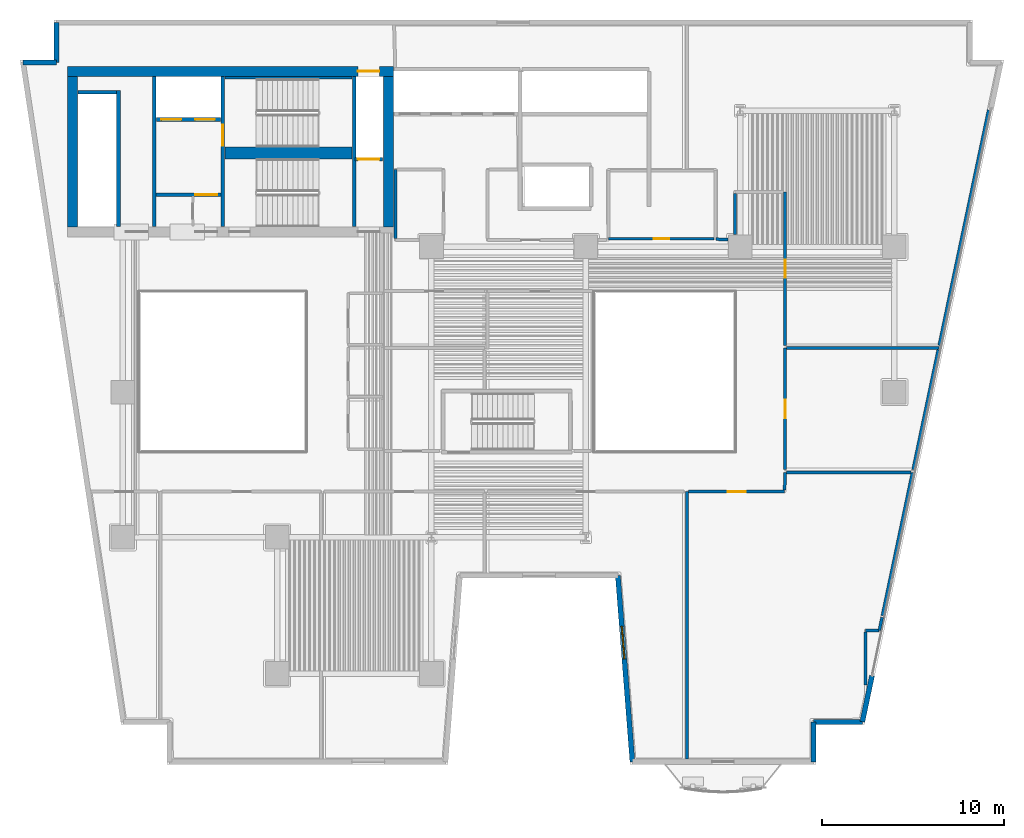
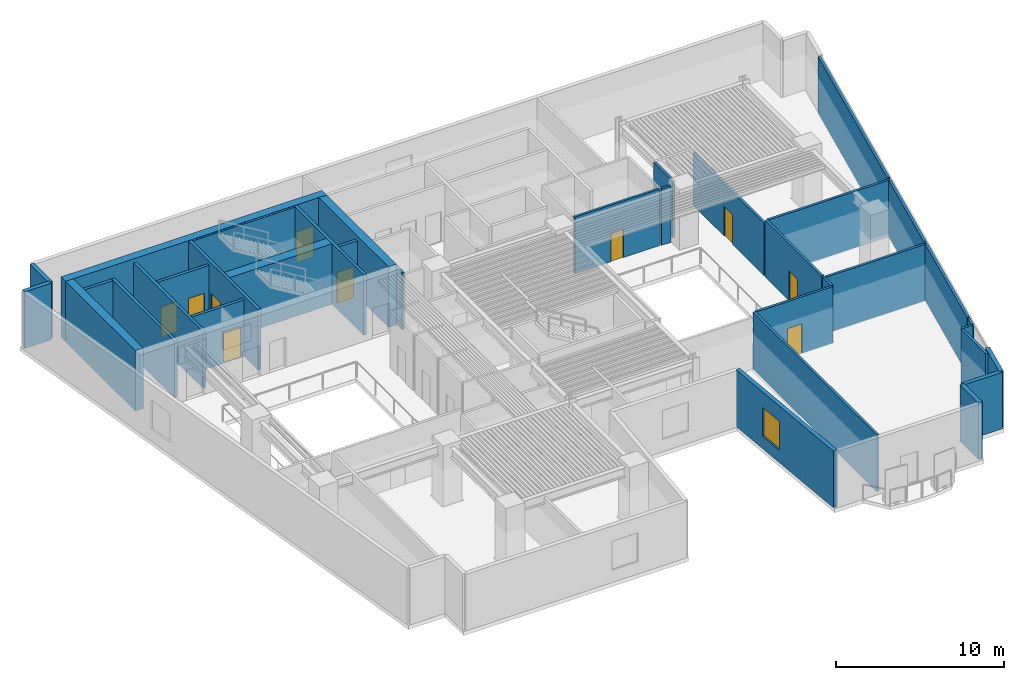
# One storey, part 5 of 12: 36 walls, 10 doors, 1 window, 11 openings.
"""IFC4 building model written with IfcOpenShell, lengths in metres."""

from ifc_helpers import new_model, si_unit, direction, frame, frame_2d, origin, place, context, subcontext, project, spatial, rectangle, extrude, material, layer, layer_set, type_object, element, fill, save


model = new_model("IFC4")

# Units and contexts
model_context = context("Model", 3, precision=1e-05, world=origin(), true_north=direction((0.0, 1.0)))
body_context = subcontext(model_context, "Body", "Model", "MODEL_VIEW")
ifc_project = project(units=[si_unit("LENGTHUNIT", "METRE"), si_unit("AREAUNIT", "SQUARE_METRE"), si_unit("VOLUMEUNIT", "CUBIC_METRE"), si_unit("PLANEANGLEUNIT", "RADIAN"), si_unit("MASSUNIT", "GRAM", prefix="KILO")], contexts=[model_context])

# Site, building, storey
site_placement = place(None, origin())
site = spatial("IfcSite", under=ifc_project, at=site_placement, CompositionType="ELEMENT")
building_placement = place(site_placement, origin())
building = spatial("IfcBuilding", under=site, at=building_placement, Name="Caeloran Harvest Quay", CompositionType="ELEMENT")
storey_placement = place(building_placement, frame((0.0, 0.0, 79.800048828125)))
storey = spatial("IfcBuildingStorey", under=building, at=storey_placement, Name="L18", CompositionType="ELEMENT", Elevation=79.800048828125)

# Walls
ifc_material_1 = material(Name="Precast concrete C50/60", Category="concrete")
ifc_layer_1 = layer(ifc_material_1, 0.280029296875, Name="Precast concrete C50/60")
ifc_layer_set_1 = layer_set([ifc_layer_1], Name="Precast concrete C50/60")
wall_type_1 = type_object("IfcWallType", Name="ENV-WALL-EW-280", PredefinedType="STANDARD", material=ifc_layer_set_1)
wall_1_placement = place(storey_placement, frame((2.99755859375, 41.159912109375, 0.0), z_axis=(0.0, 0.0, 1.0), x_axis=(1.0, 0.0, 0.0)))
element("IfcWall", 1, at=wall_1_placement, inside=storey, type_object=wall_type_1, Name="L18 Exterior Precast Concrete Facade Wall 4", PredefinedType="STANDARD", context=body_context, shape_type="SweptSolid", body=[
    extrude(rectangle(XDim=1.842529296875, YDim=0.280029296875, at=frame_2d((0.92138671875, 0.0))), origin(), (0.0, 0.0, 1.0), 4.114990234375),
])
wall_2_placement = place(storey_placement, frame((4.840087890625, 41.159912109375, 0.0), z_axis=(0.0, 0.0, 1.0), x_axis=(0.0, 1.0, 0.0)))
element("IfcWall", 2, at=wall_2_placement, inside=storey, type_object=wall_type_1, Name="L18 Exterior Precast Concrete Facade Wall 5", PredefinedType="STANDARD", context=body_context, shape_type="SweptSolid", body=[
    extrude(rectangle(XDim=2.2001953125, YDim=0.280029296875, at=frame_2d((1.10009765625, 0.0))), origin(), (0.0, 0.0, 1.0), 4.114990234375),
])
wall_3_placement = place(storey_placement, frame((49.77001953125, 7.384521484375, 0.0), z_axis=(0.0, 0.0, 1.0), x_axis=(-0.205551409765, -0.978646319128, 0.0)))
element("IfcWall", 3, at=wall_3_placement, inside=storey, type_object=wall_type_1, Name="L18 Exterior Facade Corner Pier Wall 9B", PredefinedType="STANDARD", context=body_context, shape_type="SweptSolid", body=[
    extrude(rectangle(XDim=2.599853515625, YDim=0.280029296875, at=frame_2d((1.2998046875, 0.0))), origin(), (0.0, 0.0, 1.0), 4.114990234375),
])
wall_4_placement = place(storey_placement, frame((49.235595703125, 4.840087890625, 0.0), z_axis=(0.0, 0.0, 1.0), x_axis=(-1.0, 0.0, 0.0)))
element("IfcWall", 4, at=wall_4_placement, inside=storey, type_object=wall_type_1, Name="L18 Exterior Precast Concrete Facade Wall 10", PredefinedType="STANDARD", context=body_context, shape_type="SweptSolid", body=[
    extrude(rectangle(XDim=2.6884765625, YDim=0.280029296875, at=frame_2d((1.34423828125, 0.0))), origin(), (0.0, 0.0, 1.0), 4.114990234375),
])
wall_5_placement = place(storey_placement, frame((46.547119140625, 4.840087890625, 0.0), z_axis=(0.0, 0.0, 1.0), x_axis=(0.0, -1.0, 0.0)))
element("IfcWall", 5, at=wall_5_placement, inside=storey, type_object=wall_type_1, Name="L18 Exterior Precast Concrete Facade Wall 11", PredefinedType="STANDARD", context=body_context, shape_type="SweptSolid", body=[
    extrude(rectangle(XDim=2.2001953125, YDim=0.280029296875, at=frame_2d((1.10009765625, 0.0))), origin(), (0.0, 0.0, 1.0), 4.114990234375),
])

# Wall, opening, window
wall_6_placement = place(storey_placement, frame((36.570068359375, 2.639892578125, 0.0), z_axis=(0.0, 0.0, 1.0), x_axis=(-0.077816860153, 0.996967670627, 0.0)))
wall_6 = element("IfcWall", 6, at=wall_6_placement, inside=storey, type_object=wall_type_1, Name="L18 Exterior Precast Concrete Facade Wall 13", PredefinedType="STANDARD", context=body_context, shape_type="SweptSolid", body=[
    extrude(rectangle(XDim=10.28125, YDim=0.280029296875, at=frame_2d((5.140625, 0.0))), origin(), (0.0, 0.0, 1.0), 4.114990234375),
])
opening_1_placement = place(wall_6_placement, frame((5.679931640625, 0.0, 0.89990234375)))
opening_1 = element("IfcOpeningElement", 7, at=opening_1_placement, cuts=wall_6, Name="Opening W-01", PredefinedType="OPENING", context=body_context, shape_type="SweptSolid", body=[
    extrude(rectangle(XDim=1.800048828125, YDim=2.10009765625, at=frame_2d((0.89990234375, 1.050048828125))), frame((0.0, 0.14990234375, 0.0), z_axis=(0.0, -1.0, 0.0), x_axis=(1.0, 0.0, 0.0)), (0.0, 0.0, 1.0), 0.300048828125),
])
ifc_material_2 = material(Name="Aluminium-Framed Low-E Laminated Glass", Category="aluminium")
window_type = type_object("IfcWindowType", Name="WIN-W-01", PartitioningType="SINGLE_PANEL", PredefinedType="WINDOW", material=ifc_material_2)
window_placement = place(opening_1_placement, origin())
window = element("IfcWindow", 8, at=window_placement, inside=storey, type_object=window_type, Name="L18 Facade Punched Window W-01", OverallHeight=2.10009765625, OverallWidth=1.800048828125, PartitioningType="SINGLE_PANEL", PredefinedType="WINDOW", context=body_context, shape_type="SweptSolid", body=[
    extrude(rectangle(XDim=1.800048828125, YDim=2.10009765625, at=frame_2d((0.89990234375, 1.050048828125))), frame((0.0, 0.030029296875, 0.0), z_axis=(0.0, -1.0, 0.0), x_axis=(1.0, 0.0, 0.0)), (0.0, 0.0, 1.0), 0.06005859375),
])
fill(opening_1, window)

# Wall, opening, door
ifc_material_3 = material(Name="Autoclaved Aerated Concrete Blockwork and Plasterboard", Category="masonry")
ifc_layer_2 = layer(ifc_material_3, 0.14990234375, Name="Autoclaved Aerated Concrete Blockwork and Plasterboard")
ifc_layer_set_2 = layer_set([ifc_layer_2], Name="Autoclaved Aerated Concrete Blockwork and Plasterboard")
wall_type_2 = type_object("IfcWallType", Name="INT-WALL-PW-150", PredefinedType="PARTITIONING", material=ifc_layer_set_2)
wall_7_placement = place(storey_placement, frame((41.070068359375, 31.449951171875, 0.0), z_axis=(0.0, 0.0, 1.0), x_axis=(-1.0, 0.0, 0.0)))
wall_7 = element("IfcWall", 9, at=wall_7_placement, inside=storey, type_object=wall_type_2, Name="L18 Core Telemetry Control Room Partition Wall", PredefinedType="PARTITIONING", context=body_context, shape_type="SweptSolid", body=[
    extrude(rectangle(XDim=5.820068359375, YDim=0.14990234375, at=frame_2d((2.91015625, 0.0))), origin(), (0.0, 0.0, 1.0), 4.114990234375),
])
opening_2_placement = place(wall_7_placement, frame((2.485107421875, 0.0, 0.0)))
opening_2 = element("IfcOpeningElement", 10, at=opening_2_placement, cuts=wall_7, Name="Opening SV-01", PredefinedType="OPENING", context=body_context, shape_type="SweptSolid", body=[
    extrude(rectangle(XDim=0.85009765625, YDim=2.10009765625, at=frame_2d((0.425048828125, 1.050048828125))), frame((0.0, 0.0849609375, 0.0), z_axis=(0.0, -1.0, 0.0), x_axis=(1.0, 0.0, 0.0)), (0.0, 0.0, 1.0), 0.169921875),
])
ifc_material_4 = material(Name="Galvanized Painted Steel", Category="steel")
door_type_1 = type_object("IfcDoorType", Name="INTDOOR-SV-01", OperationType="NOTDEFINED", PredefinedType="DOOR", material=ifc_material_4)
door_1_placement = place(opening_2_placement, origin())
door_1 = element("IfcDoor", 11, at=door_1_placement, inside=storey, type_object=door_type_1, Name="L18 Core Telemetry Control Room Access Door", OperationType="SINGLE_SWING_LEFT", OverallHeight=2.10009765625, OverallWidth=0.85009765625, PredefinedType="DOOR", context=body_context, shape_type="SweptSolid", body=[
    extrude(rectangle(XDim=0.85009765625, YDim=2.10009765625, at=frame_2d((0.425048828125, 1.050048828125))), frame((0.0, 0.02490234375, 0.0), z_axis=(0.0, -1.0, 0.0), x_axis=(1.0, 0.0, 0.0)), (0.0, 0.0, 1.0), 0.050048828125),
])
fill(opening_2, door_1)

# Walls
ifc_material_5 = material(Name="Autoclaved Aerated Concrete Blockwork", Category="masonry")
ifc_layer_3 = layer(ifc_material_5, 0.1650390625, Name="Autoclaved Aerated Concrete Blockwork")
ifc_layer_set_3 = layer_set([ifc_layer_3], Name="Autoclaved Aerated Concrete Blockwork")
wall_type_3 = type_object("IfcWallType", Name="INT-WALL-PW-165", PredefinedType="PARTITIONING", material=ifc_layer_set_3)
wall_8_placement = place(storey_placement, frame((51.9970703125, 18.570068359375, 0.0), z_axis=(0.0, 0.0, 1.0), x_axis=(-0.205584289858, -0.978639412533, 0.0)))
element("IfcWall", 12, at=wall_8_placement, inside=storey, type_object=wall_type_3, Name="Sensory Fermentation Kitchen Partition Wall", PredefinedType="PARTITIONING", context=body_context, shape_type="SweptSolid", body=[
    extrude(rectangle(XDim=8.05517578125, YDim=0.1650390625, at=frame_2d((4.027587890625, 0.0))), origin(), (0.0, 0.0, 1.0), 4.114990234375),
])
wall_9_placement = place(storey_placement, frame((50.321533203125, 10.594482421875, 0.0), z_axis=(0.0, 0.0, 1.0), x_axis=(-0.204661980979, -0.978832709681, 0.0)))
element("IfcWall", 13, at=wall_9_placement, inside=storey, type_object=wall_type_3, Name="Sensory Fermentation Kitchen Partition Wall", PredefinedType="PARTITIONING", context=body_context, shape_type="SweptSolid", body=[
    extrude(rectangle(XDim=0.72998046875, YDim=0.1650390625, at=frame_2d((0.364990234375, 0.0))), origin(), (0.0, 0.0, 1.0), 4.114990234375),
])
wall_10_placement = place(storey_placement, frame((50.147705078125, 9.8798828125, 0.0), z_axis=(0.0, 0.0, 1.0), x_axis=(-1.0, 0.0, 0.0)))
element("IfcWall", 14, at=wall_10_placement, inside=storey, type_object=wall_type_3, Name="Sensory Fermentation Kitchen Partition Wall", PredefinedType="PARTITIONING", context=body_context, shape_type="SweptSolid", body=[
    extrude(rectangle(XDim=0.727783203125, YDim=0.1650390625, at=frame_2d((0.36376953125, 0.0))), origin(), (0.0, 0.0, 1.0), 4.114990234375),
])
wall_11_placement = place(storey_placement, frame((49.419921875, 9.79248046875, 0.0), z_axis=(0.0, 0.0, 1.0), x_axis=(0.0, -1.0, 0.0)))
element("IfcWall", 15, at=wall_11_placement, inside=storey, type_object=wall_type_3, Name="Sensory Fermentation Kitchen Partition Wall", PredefinedType="PARTITIONING", context=body_context, shape_type="SweptSolid", body=[
    extrude(rectangle(XDim=2.93408203125, YDim=0.1650390625, at=frame_2d((1.467041015625, 0.0))), origin(), (0.0, 0.0, 1.0), 4.114990234375),
])
wall_12_placement = place(storey_placement, frame((39.580078125, 2.784912109375, 0.0), z_axis=(0.0, 0.0, 1.0), x_axis=(0.0, 1.0, 0.0)))
element("IfcWall", 16, at=wall_12_placement, inside=storey, type_object=wall_type_3, Name="Sensory Fermentation Kitchen Partition Wall", PredefinedType="PARTITIONING", context=body_context, shape_type="SweptSolid", body=[
    extrude(rectangle(XDim=14.735107421875, YDim=0.1650390625, at=frame_2d((7.36767578125, 0.0))), origin(), (0.0, 0.0, 1.0), 4.114990234375),
])

# Wall, opening, door
wall_13_placement = place(storey_placement, frame((39.66748046875, 17.52001953125, 0.0), z_axis=(0.0, 0.0, 1.0), x_axis=(1.0, 0.0, 0.0)))
wall_13 = element("IfcWall", 17, at=wall_13_placement, inside=storey, type_object=wall_type_3, Name="Sensory Fermentation Kitchen Partition Wall", PredefinedType="PARTITIONING", context=body_context, shape_type="SweptSolid", body=[
    extrude(rectangle(XDim=5.282470703125, YDim=0.1650390625, at=frame_2d((2.64111328125, 0.0))), origin(), (0.0, 0.0, 1.0), 4.114990234375),
])
opening_3_placement = place(wall_13_placement, frame((2.141357421875, 0.0, 0.0)))
opening_3 = element("IfcOpeningElement", 18, at=opening_3_placement, cuts=wall_13, Name="Opening ID-01", PredefinedType="OPENING", context=body_context, shape_type="SweptSolid", body=[
    extrude(rectangle(XDim=1.0, YDim=2.14990234375, at=frame_2d((0.5, 1.074951171875))), frame((0.0, 0.092529296875, 0.0), z_axis=(0.0, -1.0, 0.0), x_axis=(1.0, 0.0, 0.0)), (0.0, 0.0, 1.0), 0.18505859375),
])
ifc_material_6 = material(Name="FSC Solid-Core Ash Timber and Acoustic Seal", Category="wood")
door_type_2 = type_object("IfcDoorType", Name="INTDOOR-ID-01", OperationType="NOTDEFINED", PredefinedType="DOOR", material=ifc_material_6)
door_2_placement = place(opening_3_placement, origin())
door_2 = element("IfcDoor", 19, at=door_2_placement, inside=storey, type_object=door_type_2, Name="Sensory Fermentation Kitchen Access Door", OperationType="SINGLE_SWING_LEFT", OverallHeight=2.14990234375, OverallWidth=1.0, PredefinedType="DOOR", context=body_context, shape_type="SweptSolid", body=[
    extrude(rectangle(XDim=1.0, YDim=2.14990234375, at=frame_2d((0.5, 1.074951171875))), frame((0.0, 0.02490234375, 0.0), z_axis=(0.0, -1.0, 0.0), x_axis=(1.0, 0.0, 0.0)), (0.0, 0.0, 1.0), 0.050048828125),
])
fill(opening_3, door_2)

# Walls
wall_14_placement = place(storey_placement, frame((44.952392578125, 17.606689453125, 0.0), z_axis=(0.0, 0.0, 1.0), x_axis=(0.028624859452, 0.999590224753, 0.0)))
element("IfcWall", 20, at=wall_14_placement, inside=storey, type_object=wall_type_3, Name="Sensory Fermentation Kitchen Partition Wall", PredefinedType="PARTITIONING", context=body_context, shape_type="SweptSolid", body=[
    extrude(rectangle(XDim=0.9638671875, YDim=0.1650390625, at=frame_2d((0.48193359375, 0.0))), origin(), (0.0, 0.0, 1.0), 4.114990234375),
])
wall_15_placement = place(storey_placement, frame((45.06689453125, 18.570068359375, 0.0), z_axis=(0.0, 0.0, 1.0), x_axis=(1.0, 0.0, 0.0)))
element("IfcWall", 21, at=wall_15_placement, inside=storey, type_object=wall_type_3, Name="Sensory Fermentation Kitchen Partition Wall", PredefinedType="PARTITIONING", context=body_context, shape_type="SweptSolid", body=[
    extrude(rectangle(XDim=6.8408203125, YDim=0.1650390625, at=frame_2d((3.42041015625, 0.0))), origin(), (0.0, 0.0, 1.0), 4.114990234375),
])

# Wall, opening, door
wall_16_placement = place(storey_placement, frame((44.97998046875, 18.72998046875, 0.0), z_axis=(0.0, 0.0, 1.0), x_axis=(0.0, 1.0, 0.0)))
wall_16 = element("IfcWall", 22, at=wall_16_placement, inside=storey, type_object=wall_type_3, Name="Chef Development Kitchen Partition Wall", PredefinedType="PARTITIONING", context=body_context, shape_type="SweptSolid", body=[
    extrude(rectangle(XDim=6.68994140625, YDim=0.1650390625, at=frame_2d((3.344970703125, 0.0))), origin(), (0.0, 0.0, 1.0), 4.114990234375),
])
opening_4_placement = place(wall_16_placement, frame((2.844970703125, 0.0, 0.0)))
opening_4 = element("IfcOpeningElement", 23, at=opening_4_placement, cuts=wall_16, Name="Opening ID-01", PredefinedType="OPENING", context=body_context, shape_type="SweptSolid", body=[
    extrude(rectangle(XDim=1.0, YDim=2.14990234375, at=frame_2d((0.5, 1.074951171875))), frame((0.0, 0.092529296875, 0.0), z_axis=(0.0, -1.0, 0.0), x_axis=(1.0, 0.0, 0.0)), (0.0, 0.0, 1.0), 0.18505859375),
])
door_3_placement = place(opening_4_placement, origin())
door_3 = element("IfcDoor", 24, at=door_3_placement, inside=storey, type_object=door_type_2, Name="Chef Development Kitchen Access Door", OperationType="SINGLE_SWING_RIGHT", OverallHeight=2.14990234375, OverallWidth=1.0, PredefinedType="DOOR", context=body_context, shape_type="SweptSolid", body=[
    extrude(rectangle(XDim=1.0, YDim=2.14990234375, at=frame_2d((0.5, 1.074951171875))), frame((0.0, 0.02490234375, 0.0), z_axis=(0.0, -1.0, 0.0), x_axis=(1.0, 0.0, 0.0)), (0.0, 0.0, 1.0), 0.050048828125),
])
fill(opening_4, door_3)

# Walls
wall_17_placement = place(storey_placement, frame((45.0673828125, 25.419921875, 0.0), z_axis=(0.0, 0.0, 1.0), x_axis=(1.0, 0.0, 0.0)))
element("IfcWall", 25, at=wall_17_placement, inside=storey, type_object=wall_type_3, Name="Chef Development Kitchen Partition Wall", PredefinedType="PARTITIONING", context=body_context, shape_type="SweptSolid", body=[
    extrude(rectangle(XDim=8.384033203125, YDim=0.1650390625, at=frame_2d((4.19189453125, 0.0))), origin(), (0.0, 0.0, 1.0), 4.114990234375),
])
wall_18_placement = place(storey_placement, frame((53.41748046875, 25.33251953125, 0.0), z_axis=(0.0, 0.0, 1.0), x_axis=(-0.205508916106, -0.978655243383, 0.0)))
element("IfcWall", 26, at=wall_18_placement, inside=storey, type_object=wall_type_3, Name="Chef Development Kitchen Partition Wall", PredefinedType="PARTITIONING", context=body_context, shape_type="SweptSolid", body=[
    extrude(rectangle(XDim=6.74658203125, YDim=0.1650390625, at=frame_2d((3.373291015625, 0.0))), origin(), (0.0, 0.0, 1.0), 4.114990234375),
])
wall_19_placement = place(storey_placement, frame((23.510009765625, 31.467529296875, 0.0), z_axis=(0.0, 0.0, 1.0), x_axis=(0.0, 1.0, 0.0)))
element("IfcWall", 27, at=wall_19_placement, inside=storey, type_object=wall_type_3, Name="Sensory Fermentation Kitchen 10 Partition Wall", PredefinedType="PARTITIONING", context=body_context, shape_type="SweptSolid", body=[
    extrude(rectangle(XDim=3.804443359375, YDim=0.1650390625, at=frame_2d((1.90234375, 0.0))), origin(), (0.0, 0.0, 1.0), 4.114990234375),
])
wall_20_placement = place(storey_placement, frame((56.1943359375, 38.547607421875, 0.0), z_axis=(0.0, 0.0, 1.0), x_axis=(-0.205602819639, -0.978635519771, 0.0)))
element("IfcWall", 28, at=wall_20_placement, inside=storey, type_object=wall_type_3, Name="Gastronomy Seminar Room 11 Partition Wall", PredefinedType="PARTITIONING", context=body_context, shape_type="SweptSolid", body=[
    extrude(rectangle(XDim=13.250732421875, YDim=0.1650390625, at=frame_2d((6.62548828125, 0.0))), origin(), (0.0, 0.0, 1.0), 4.114990234375),
])

# Wall, opening, door
wall_21_placement = place(storey_placement, frame((44.97998046875, 25.580078125, 0.0), z_axis=(0.0, 0.0, 1.0), x_axis=(0.0, 1.0, 0.0)))
wall_21 = element("IfcWall", 29, at=wall_21_placement, inside=storey, type_object=wall_type_3, Name="Gastronomy Seminar Room 11 Partition Wall", PredefinedType="PARTITIONING", context=body_context, shape_type="SweptSolid", body=[
    extrude(rectangle(XDim=8.449951171875, YDim=0.1650390625, at=frame_2d((4.22509765625, 0.0))), origin(), (0.0, 0.0, 1.0), 3.800048828125),
])
opening_5_placement = place(wall_21_placement, frame((3.72509765625, 0.0, 0.0)))
opening_5 = element("IfcOpeningElement", 30, at=opening_5_placement, cuts=wall_21, Name="Opening ID-01", PredefinedType="OPENING", context=body_context, shape_type="SweptSolid", body=[
    extrude(rectangle(XDim=1.0, YDim=2.14990234375, at=frame_2d((0.5, 1.074951171875))), frame((0.0, 0.092529296875, 0.0), z_axis=(0.0, -1.0, 0.0), x_axis=(1.0, 0.0, 0.0)), (0.0, 0.0, 1.0), 0.18505859375),
])
door_4_placement = place(opening_5_placement, origin())
door_4 = element("IfcDoor", 31, at=door_4_placement, inside=storey, type_object=door_type_2, Name="Gastronomy Seminar Room 11 Access Door", OperationType="SINGLE_SWING_RIGHT", OverallHeight=2.14990234375, OverallWidth=1.0, PredefinedType="DOOR", context=body_context, shape_type="SweptSolid", body=[
    extrude(rectangle(XDim=1.0, YDim=2.14990234375, at=frame_2d((0.5, 1.074951171875))), frame((0.0, 0.02490234375, 0.0), z_axis=(0.0, -1.0, 0.0), x_axis=(1.0, 0.0, 0.0)), (0.0, 0.0, 1.0), 0.050048828125),
])
fill(opening_5, door_4)

# Walls
wall_22_placement = place(storey_placement, frame((42.219970703125, 33.9423828125, 0.0), z_axis=(0.0, 0.0, 1.0), x_axis=(0.0, -1.0, 0.0)))
element("IfcWall", 32, at=wall_22_placement, inside=storey, type_object=wall_type_3, Name="Gastronomy Seminar Room 11 Partition Wall", PredefinedType="PARTITIONING", context=body_context, shape_type="SweptSolid", body=[
    extrude(rectangle(XDim=2.267333984375, YDim=0.1650390625, at=frame_2d((1.1337890625, 0.0))), origin(), (0.0, 0.0, 1.0), 4.114990234375),
])
wall_23_placement = place(storey_placement, frame((41.824951171875, 31.3984375, 0.0), z_axis=(0.0, 0.0, 1.0), x_axis=(-0.998882632516, 0.04725977633, 0.0)))
element("IfcWall", 33, at=wall_23_placement, inside=storey, type_object=wall_type_3, Name="Gastronomy Seminar Room 11 Partition Wall", PredefinedType="PARTITIONING", context=body_context, shape_type="SweptSolid", body=[
    extrude(rectangle(XDim=0.645751953125, YDim=0.1650390625, at=frame_2d((0.32275390625, 0.0))), origin(), (0.0, 0.0, 1.0), 4.114990234375),
])
ifc_material_7 = material(Name="Concrete C50/60", Category="concrete")
ifc_layer_4 = layer(ifc_material_7, 0.199951171875, Name="Concrete C50/60")
ifc_layer_set_4 = layer_set([ifc_layer_4], Name="Concrete C50/60")
wall_type_4 = type_object("IfcWallType", Name="INT-WALL-SW-200", PredefinedType="PARTITIONING", material=ifc_layer_set_4)
wall_24_placement = place(storey_placement, frame((8.260009765625, 32.1201171875, 0.0), z_axis=(0.0, 0.0, 1.0), x_axis=(0.0, 1.0, 0.0)))
element("IfcWall", 34, at=wall_24_placement, inside=storey, type_object=wall_type_4, Name="L18 Bank 3 Lift Shaft Wall", PredefinedType="PARTITIONING", context=body_context, shape_type="SweptSolid", body=[
    extrude(rectangle(XDim=7.5, YDim=0.199951171875, at=frame_2d((3.75, 0.0))), origin(), (0.0, 0.0, 1.0), 4.114990234375),
])
wall_25_placement = place(storey_placement, frame((6.02001953125, 39.52001953125, 0.0), z_axis=(0.0, 0.0, 1.0), x_axis=(1.0, 0.0, 0.0)))
element("IfcWall", 35, at=wall_25_placement, inside=storey, type_object=wall_type_4, Name="L18 Bank 3 Lift Shaft North End Wall", PredefinedType="PARTITIONING", context=body_context, shape_type="SweptSolid", body=[
    extrude(rectangle(XDim=2.119873046875, YDim=0.199951171875, at=frame_2d((1.06005859375, 0.0))), origin(), (0.0, 0.0, 1.0), 4.114990234375),
])
wall_26_placement = place(storey_placement, frame((10.219970703125, 32.1201171875, 0.0), z_axis=(0.0, 0.0, 1.0), x_axis=(0.0, 1.0, 0.0)))
element("IfcWall", 36, at=wall_26_placement, inside=storey, type_object=wall_type_4, Name="L18 Core Lobby Compartment Wall", PredefinedType="PARTITIONING", context=body_context, shape_type="SweptSolid", body=[
    extrude(rectangle(XDim=8.259765625, YDim=0.199951171875, at=frame_2d((4.1298828125, 0.0))), origin(), (0.0, 0.0, 1.0), 4.114990234375),
])

# Wall, openings, doors
wall_27_placement = place(storey_placement, frame((10.340087890625, 38.02001953125, 0.0), z_axis=(0.0, 0.0, 1.0), x_axis=(1.0, 0.0, 0.0)))
wall_27 = element("IfcWall", 37, at=wall_27_placement, inside=storey, type_object=wall_type_4, Name="L18 Firefighting Lift Shaft Wall", PredefinedType="PARTITIONING", context=body_context, shape_type="SweptSolid", body=[
    extrude(rectangle(XDim=3.539794921875, YDim=0.199951171875, at=frame_2d((1.77001953125, 0.0))), origin(), (0.0, 0.0, 1.0), 4.114990234375),
])
opening_6_placement = place(wall_27_placement, frame((0.284912109375, 0.0, 0.0)))
opening_6 = element("IfcOpeningElement", 38, at=opening_6_placement, cuts=wall_27, Name="Opening LD-01", PredefinedType="OPENING", context=body_context, shape_type="SweptSolid", body=[
    extrude(rectangle(XDim=1.10009765625, YDim=2.199951171875, at=frame_2d((0.550048828125, 1.10009765625))), frame((0.0, 0.10986328125, 0.0), z_axis=(0.0, -1.0, 0.0), x_axis=(1.0, 0.0, 0.0)), (0.0, 0.0, 1.0), 0.219970703125),
])
opening_7_placement = place(wall_27_placement, frame((2.135009765625, 0.0, 0.0)))
opening_7 = element("IfcOpeningElement", 39, at=opening_7_placement, cuts=wall_27, Name="Opening LD-01", PredefinedType="OPENING", context=body_context, shape_type="SweptSolid", body=[
    extrude(rectangle(XDim=1.10009765625, YDim=2.199951171875, at=frame_2d((0.550048828125, 1.10009765625))), frame((0.0, 0.10986328125, 0.0), z_axis=(0.0, -1.0, 0.0), x_axis=(1.0, 0.0, 0.0)), (0.0, 0.0, 1.0), 0.219970703125),
])
ifc_material_8 = material(Name="Stainless Steel Grade 316", Category="steel")
door_type_3 = type_object("IfcDoorType", Name="INTDOOR-LD-01", OperationType="NOTDEFINED", PredefinedType="DOOR", material=ifc_material_8)
door_5_placement = place(opening_6_placement, origin())
door_5 = element("IfcDoor", 40, at=door_5_placement, inside=storey, type_object=door_type_3, Name="Lift FF-1 Sliding Landing Door (L18)", OperationType="DOUBLE_DOOR_SLIDING", OverallHeight=2.199951171875, OverallWidth=1.10009765625, PredefinedType="DOOR", context=body_context, shape_type="SweptSolid", body=[
    extrude(rectangle(XDim=1.10009765625, YDim=2.199951171875, at=frame_2d((0.550048828125, 1.10009765625))), frame((0.0, 0.02490234375, 0.0), z_axis=(0.0, -1.0, 0.0), x_axis=(1.0, 0.0, 0.0)), (0.0, 0.0, 1.0), 0.050048828125),
])
fill(opening_6, door_5)
door_6_placement = place(opening_7_placement, origin())
door_6 = element("IfcDoor", 41, at=door_6_placement, inside=storey, type_object=door_type_3, Name="Lift FF-2 Sliding Landing Door (L18)", OperationType="DOUBLE_DOOR_SLIDING", OverallHeight=2.199951171875, OverallWidth=1.10009765625, PredefinedType="DOOR", context=body_context, shape_type="SweptSolid", body=[
    extrude(rectangle(XDim=1.10009765625, YDim=2.199951171875, at=frame_2d((0.550048828125, 1.10009765625))), frame((0.0, 0.02490234375, 0.0), z_axis=(0.0, -1.0, 0.0), x_axis=(1.0, 0.0, 0.0)), (0.0, 0.0, 1.0), 0.050048828125),
])
fill(opening_7, door_6)

# Wall, opening, door
wall_28_placement = place(storey_placement, frame((10.340087890625, 33.8798828125, 0.0), z_axis=(0.0, 0.0, 1.0), x_axis=(1.0, 0.0, 0.0)))
wall_28 = element("IfcWall", 42, at=wall_28_placement, inside=storey, type_object=wall_type_4, Name="L18 Firefighting Lift Lobby Enclosure Wall", PredefinedType="PARTITIONING", context=body_context, shape_type="SweptSolid", body=[
    extrude(rectangle(XDim=3.559814453125, YDim=0.199951171875, at=frame_2d((1.77978515625, 0.0))), origin(), (0.0, 0.0, 1.0), 4.114990234375),
])
opening_8_placement = place(wall_28_placement, frame((2.14990234375, 0.0, 0.0)))
opening_8 = element("IfcOpeningElement", 43, at=opening_8_placement, cuts=wall_28, Name="Opening FD-01", PredefinedType="OPENING", context=body_context, shape_type="SweptSolid", body=[
    extrude(rectangle(XDim=1.199951171875, YDim=2.199951171875, at=frame_2d((0.60009765625, 1.10009765625))), frame((0.0, 0.10986328125, 0.0), z_axis=(0.0, -1.0, 0.0), x_axis=(1.0, 0.0, 0.0)), (0.0, 0.0, 1.0), 0.219970703125),
])
ifc_material_9 = material(Name="Steel", Category="steel")
door_type_4 = type_object("IfcDoorType", Name="INTDOOR-FD-01", OperationType="NOTDEFINED", PredefinedType="DOOR", material=ifc_material_9)
door_7_placement = place(opening_8_placement, origin())
door_7 = element("IfcDoor", 44, at=door_7_placement, inside=storey, type_object=door_type_4, Name="L18 Firefighting Lift Lobby Smoke-Seal Fire Door", OperationType="SINGLE_SWING_LEFT", OverallHeight=2.199951171875, OverallWidth=1.199951171875, PredefinedType="DOOR", context=body_context, shape_type="SweptSolid", body=[
    extrude(rectangle(XDim=1.199951171875, YDim=2.199951171875, at=frame_2d((0.60009765625, 1.10009765625))), frame((0.0, 0.02490234375, 0.0), z_axis=(0.0, -1.0, 0.0), x_axis=(1.0, 0.0, 0.0)), (0.0, 0.0, 1.0), 0.050048828125),
])
fill(opening_8, door_7)

wall_29_placement = place(storey_placement, frame((21.300048828125, 35.820068359375, 0.0), z_axis=(0.0, 0.0, 1.0), x_axis=(1.0, 0.0, 0.0)))
wall_29 = element("IfcWall", 45, at=wall_29_placement, inside=storey, type_object=wall_type_4, Name="L18 Service Lift SV-2 Shaft Wall", PredefinedType="PARTITIONING", context=body_context, shape_type="SweptSolid", body=[
    extrude(rectangle(XDim=1.5, YDim=0.199951171875, at=frame_2d((0.75, 0.0))), origin(), (0.0, 0.0, 1.0), 4.114990234375),
])
opening_9_placement = place(wall_29_placement, frame((0.14501953125, 0.0, 0.0)))
opening_9 = element("IfcOpeningElement", 46, at=opening_9_placement, cuts=wall_29, Name="Opening LD-02", PredefinedType="OPENING", context=body_context, shape_type="SweptSolid", body=[
    extrude(rectangle(XDim=1.179931640625, YDim=2.25, at=frame_2d((0.58984375, 1.125))), frame((0.0, 0.10986328125, 0.0), z_axis=(0.0, -1.0, 0.0), x_axis=(1.0, 0.0, 0.0)), (0.0, 0.0, 1.0), 0.219970703125),
])
door_type_5 = type_object("IfcDoorType", Name="INTDOOR-LD-02", OperationType="NOTDEFINED", PredefinedType="DOOR", material=ifc_material_8)
door_8_placement = place(opening_9_placement, origin())
door_8 = element("IfcDoor", 47, at=door_8_placement, inside=storey, type_object=door_type_5, Name="Lift SV-2 Sliding Landing Door (L18)", OperationType="DOUBLE_DOOR_SLIDING", OverallHeight=2.25, OverallWidth=1.179931640625, PredefinedType="DOOR", context=body_context, shape_type="SweptSolid", body=[
    extrude(rectangle(XDim=1.179931640625, YDim=2.25, at=frame_2d((0.58984375, 1.125))), frame((0.0, 0.02490234375, 0.0), z_axis=(0.0, -1.0, 0.0), x_axis=(1.0, 0.0, 0.0)), (0.0, 0.0, 1.0), 0.050048828125),
])
fill(opening_9, door_8)

ifc_material_10 = material(Name="Concrete C80/95", Category="concrete")
ifc_layer_5 = layer(ifc_material_10, 0.550048828125, Name="Concrete C80/95")
ifc_layer_set_5 = layer_set([ifc_layer_5], Name="Concrete C80/95")
wall_type_5 = type_object("IfcWallType", Name="STR-WALL-CW-550", PredefinedType="SHEAR", material=ifc_layer_set_5)
wall_30_placement = place(storey_placement, frame((5.449951171875, 40.675048828125, 0.0), z_axis=(0.0, 0.0, 1.0), x_axis=(1.0, 0.0, 0.0)))
wall_30 = element("IfcWall", 48, at=wall_30_placement, inside=storey, type_object=wall_type_5, Name="L18 Rear Core Shear Wall N", PredefinedType="SHEAR", context=body_context, shape_type="SweptSolid", body=[
    extrude(rectangle(XDim=17.949951171875, YDim=0.550048828125, at=frame_2d((8.97509765625, 0.0))), origin(), (0.0, 0.0, 1.0), 4.39990234375),
])
opening_10_placement = place(wall_30_placement, frame((15.9951171875, 0.0, 0.0)))
opening_10 = element("IfcOpeningElement", 49, at=opening_10_placement, cuts=wall_30, Name="Opening LD-02", PredefinedType="OPENING", context=body_context, shape_type="SweptSolid", body=[
    extrude(rectangle(XDim=1.179931640625, YDim=2.25, at=frame_2d((0.58984375, 1.125))), frame((0.0, 0.28515625, 0.0), z_axis=(0.0, -1.0, 0.0), x_axis=(1.0, 0.0, 0.0)), (0.0, 0.0, 1.0), 0.570068359375),
])
door_9_placement = place(opening_10_placement, origin())
door_9 = element("IfcDoor", 50, at=door_9_placement, inside=storey, type_object=door_type_5, Name="Lift SV-1 Sliding Landing Door (L18)", OperationType="DOUBLE_DOOR_SLIDING", OverallHeight=2.25, OverallWidth=1.179931640625, PredefinedType="DOOR", context=body_context, shape_type="SweptSolid", body=[
    extrude(rectangle(XDim=1.179931640625, YDim=2.25, at=frame_2d((0.58984375, 1.125))), frame((0.0, 0.02490234375, 0.0), z_axis=(0.0, -1.0, 0.0), x_axis=(1.0, 0.0, 0.0)), (0.0, 0.0, 1.0), 0.050048828125),
])
fill(opening_10, door_9)

# Walls
for number, where, z_axis, x_axis, name in (
    (51, (5.72509765625, 32.10009765625, 0.0), (0.0, 0.0, 1.0), (0.0, 1.0, 0.0), "L18 Rear Core Shear Wall W"),
    (52, (23.125, 32.10009765625, 0.0), (0.0, 0.0, 1.0), (0.0, 1.0, 0.0), "L18 Rear Core Shear Wall E"),
):
    element("IfcWall", number, at=place(storey_placement, frame(where, z_axis=z_axis, x_axis=x_axis)), inside=storey, type_object=wall_type_5, Name=name, PredefinedType="SHEAR", context=body_context, shape_type="SweptSolid", body=[
        extrude(rectangle(XDim=8.2998046875, YDim=0.550048828125, at=frame_2d((4.14990234375, 0.0))), origin(), (0.0, 0.0, 1.0), 4.39990234375),
    ])
ifc_material_11 = material(Name="Concrete C60/75", Category="concrete")
ifc_layer_6 = layer(ifc_material_11, 0.64990234375, Name="Concrete C60/75")
ifc_layer_set_6 = layer_set([ifc_layer_6], Name="Concrete C60/75")
wall_type_6 = type_object("IfcWallType", Name="STR-WALL-CW-650", PredefinedType="SHEAR", material=ifc_layer_set_6)
wall_31_placement = place(storey_placement, frame((14.1201171875, 36.175048828125, 0.0), z_axis=(0.0, 0.0, 1.0), x_axis=(1.0, 0.0, 0.0)))
element("IfcWall", 53, at=wall_31_placement, inside=storey, type_object=wall_type_6, Name="L18 Core Stairs Dividing Shear Wall", PredefinedType="SHEAR", context=body_context, shape_type="SweptSolid", body=[
    extrude(rectangle(XDim=7.009765625, YDim=0.64990234375, at=frame_2d((3.5048828125, 0.0))), origin(), (0.0, 0.0, 1.0), 4.39990234375),
])
ifc_layer_7 = layer(ifc_material_11, 0.139892578125, Name="Concrete C60/75")
ifc_layer_set_7 = layer_set([ifc_layer_7], Name="Concrete C60/75")
wall_type_7 = type_object("IfcWallType", Name="STR-WALL-SW-140", PredefinedType="SHEAR", material=ifc_layer_set_7)
wall_32_placement = place(storey_placement, frame((14.1201171875, 40.320068359375, 0.0), z_axis=(0.0, 0.0, 1.0), x_axis=(1.0, 0.0, 0.0)))
element("IfcWall", 54, at=wall_32_placement, inside=storey, type_object=wall_type_7, Name="L18 Core Stair ST-C1 North Bearing Shear Wall", PredefinedType="SHEAR", context=body_context, shape_type="SweptSolid", body=[
    extrude(rectangle(XDim=7.009765625, YDim=0.139892578125, at=frame_2d((3.5048828125, 0.0))), origin(), (0.0, 0.0, 1.0), 4.39990234375),
])

# Wall, opening, door
ifc_layer_8 = layer(ifc_material_11, 0.199951171875, Name="Concrete C60/75")
ifc_layer_set_8 = layer_set([ifc_layer_8], Name="Concrete C60/75")
wall_type_8 = type_object("IfcWallType", Name="STR-WALL-SW-200", PredefinedType="SHEAR", material=ifc_layer_set_8)
wall_33_placement = place(storey_placement, frame((14.0, 32.1201171875, 0.0), z_axis=(0.0, 0.0, 1.0), x_axis=(0.0, 1.0, 0.0)))
wall_33 = element("IfcWall", 55, at=wall_33_placement, inside=storey, type_object=wall_type_8, Name="L18 Core Stair Shaft West Shear Wall", PredefinedType="SHEAR", context=body_context, shape_type="SweptSolid", body=[
    extrude(rectangle(XDim=8.259765625, YDim=0.199951171875, at=frame_2d((4.1298828125, 0.0))), origin(), (0.0, 0.0, 1.0), 4.39990234375),
])
opening_11_placement = place(wall_33_placement, frame((4.4599609375, 0.0, 0.0)))
opening_11 = element("IfcOpeningElement", 56, at=opening_11_placement, cuts=wall_33, Name="Opening SD-01", PredefinedType="OPENING", context=body_context, shape_type="SweptSolid", body=[
    extrude(rectangle(XDim=1.14990234375, YDim=2.199951171875, at=frame_2d((0.574951171875, 1.10009765625))), frame((0.0, 0.10986328125, 0.0), z_axis=(0.0, -1.0, 0.0), x_axis=(1.0, 0.0, 0.0)), (0.0, 0.0, 1.0), 0.219970703125),
])
door_type_6 = type_object("IfcDoorType", Name="INTDOOR-SD-01", OperationType="NOTDEFINED", PredefinedType="DOOR", material=ifc_material_9)
door_10_placement = place(opening_11_placement, origin())
door_10 = element("IfcDoor", 57, at=door_10_placement, inside=storey, type_object=door_type_6, Name="L18 Protected Stair ST-C1 Exit Door", OperationType="SINGLE_SWING_LEFT", OverallHeight=2.199951171875, OverallWidth=1.14990234375, PredefinedType="DOOR", context=body_context, shape_type="SweptSolid", body=[
    extrude(rectangle(XDim=1.14990234375, YDim=2.199951171875, at=frame_2d((0.574951171875, 1.10009765625))), frame((0.0, 0.02490234375, 0.0), z_axis=(0.0, -1.0, 0.0), x_axis=(1.0, 0.0, 0.0)), (0.0, 0.0, 1.0), 0.050048828125),
])
fill(opening_11, door_10)

# Wall
wall_34_placement = place(storey_placement, frame((21.25, 32.1201171875, 0.0), z_axis=(0.0, 0.0, 1.0), x_axis=(0.0, 1.0, 0.0)))
element("IfcWall", 58, at=wall_34_placement, inside=storey, type_object=wall_type_8, Name="L18 Core Stair Shaft East Shear Wall", PredefinedType="SHEAR", context=body_context, shape_type="SweptSolid", body=[
    extrude(rectangle(XDim=8.259765625, YDim=0.199951171875, at=frame_2d((4.1298828125, 0.0))), origin(), (0.0, 0.0, 1.0), 4.39990234375),
])

save(model, "model.ifc")
